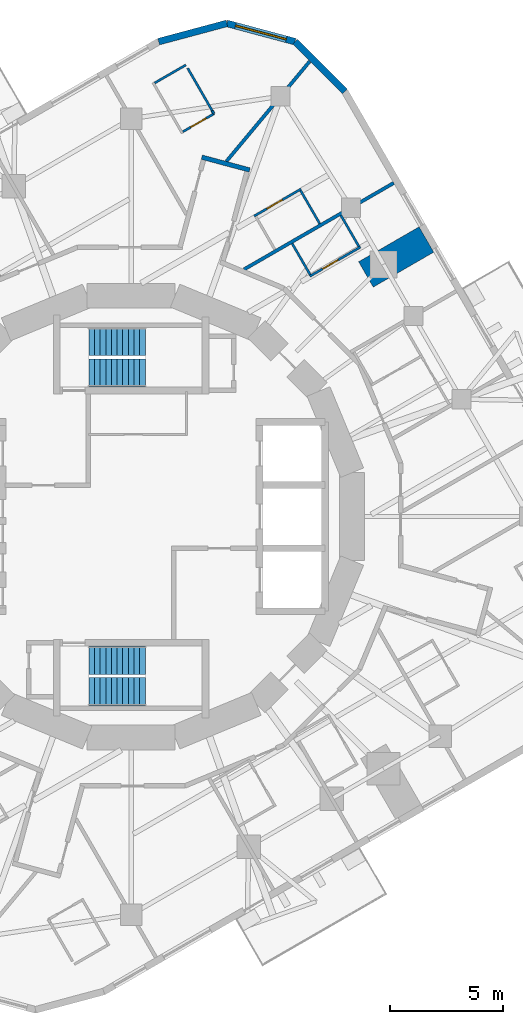
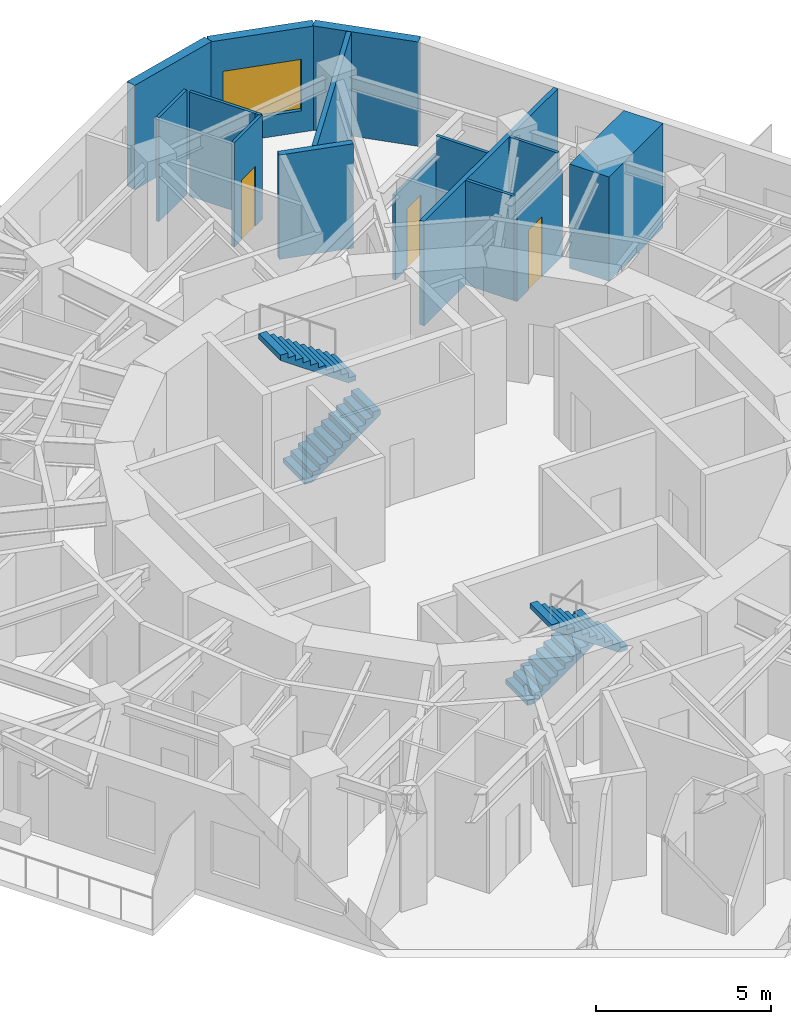
# One storey, part 9 of 11: 16 walls, 4 stair flights, 3 doors, 1 window, 4 openings, 2 elements without a shape of their own.
"""IFC4 building model written with IfcOpenShell, lengths in metres."""

from ifc_helpers import new_model, si_unit, direction, frame, frame_2d, origin, place, context, subcontext, project, spatial, polyline, rectangle, outline, extrude, material, layer, layer_set, type_object, element, fill, aggregate, save


model = new_model("IFC4")

# Units and contexts
model_context = context("Model", 3, precision=1e-05, world=origin(), true_north=direction((0.0, 1.0)))
body_context = subcontext(model_context, "Body", "Model", "MODEL_VIEW")
ifc_project = project(units=[si_unit("LENGTHUNIT", "METRE"), si_unit("AREAUNIT", "SQUARE_METRE"), si_unit("VOLUMEUNIT", "CUBIC_METRE"), si_unit("PLANEANGLEUNIT", "RADIAN"), si_unit("MASSUNIT", "GRAM", prefix="KILO")], contexts=[model_context])

# Site, building, storey
site_placement = place(None, origin())
site = spatial("IfcSite", under=ifc_project, at=site_placement, CompositionType="ELEMENT")
building_placement = place(site_placement, origin())
building = spatial("IfcBuilding", under=site, at=building_placement, Name="Nakasero Lantern House", CompositionType="ELEMENT")
storey_placement = place(building_placement, frame((0.0, 0.0, 246.199951171875)))
storey = spatial("IfcBuildingStorey", under=building, at=storey_placement, Name="L60", CompositionType="ELEMENT", Elevation=246.199951171875)

# Walls
ifc_material_1 = material(Name="Blockwork", Category="masonry")
ifc_layer_1 = layer(ifc_material_1, 1.300048828125)
ifc_layer_set_1 = layer_set([ifc_layer_1], Name="Column pier 1300")
wall_type_1 = type_object("IfcWallType", Name="Column pier 1300", PredefinedType="PARTITIONING", material=ifc_layer_set_1)
wall_1_placement = place(storey_placement, frame((10.4208984375, 10.75048828125, 0.0), z_axis=(0.0, 0.0, 1.0), x_axis=(0.866063626216, 0.499933790963, 0.0)))
element("IfcWall", 1, at=wall_1_placement, inside=storey, type_object=wall_type_1, Name="Column pier L60 PN0-05", PredefinedType="PARTITIONING", context=body_context, shape_type="SweptSolid", body=[
    extrude(rectangle(XDim=3.10009765625, YDim=1.300048828125, at=frame_2d((1.550048828125, 0.0))), origin(), (0.0, 0.0, 1.0), 3.650146484375),
])
ifc_material_2 = material(Name="Blockwork", Category="masonry")
ifc_layer_2 = layer(ifc_material_2, 0.199951171875)
ifc_layer_set_2 = layer_set([ifc_layer_2], Name="Corridor wall 200")
wall_type_2 = type_object("IfcWallType", Name="Corridor wall 200", PredefinedType="PARTITIONING", material=ifc_layer_set_2)
wall_2_placement = place(storey_placement, frame((5.261474609375, 15.38623046875, 0.0), z_axis=(0.0, 0.0, 1.0), x_axis=(-0.965904454439, 0.258898792763, 0.0)))
element("IfcWall", 2, at=wall_2_placement, inside=storey, type_object=wall_type_2, Name="Corridor wall L60 SP0e", PredefinedType="PARTITIONING", context=body_context, shape_type="SweptSolid", body=[
    extrude(rectangle(XDim=2.199951171875, YDim=0.199951171875, at=frame_2d((1.10009765625, 0.0))), origin(), (0.0, 0.0, 1.0), 3.650146484375),
])

# Wall, opening, door
ifc_material_3 = material(Name="Blockwork", Category="masonry")
ifc_layer_3 = layer(ifc_material_3, 0.10009765625)
ifc_layer_set_3 = layer_set([ifc_layer_3], Name="En-suite wall 100")
wall_type_3 = type_object("IfcWallType", Name="En-suite wall 100", PredefinedType="PARTITIONING", material=ifc_layer_set_3)
wall_3_placement = place(storey_placement, frame((7.92822265625, 10.667724609375, 0.0), z_axis=(0.0, 0.0, 1.0), x_axis=(0.866021400173, 0.500006934395, 0.0)))
wall_3 = element("IfcWall", 3, at=wall_3_placement, inside=storey, type_object=wall_type_3, Name="En-suite wall L60 ES0-04", PredefinedType="PARTITIONING", context=body_context, shape_type="SweptSolid", body=[
    extrude(rectangle(XDim=2.60009765625, YDim=0.10009765625, at=frame_2d((1.300048828125, 0.0))), origin(), (0.0, 0.0, 1.0), 3.037841796875),
])
opening_1_placement = place(wall_3_placement, frame((0.64990234375, 0.0, 0.0)))
opening_1 = element("IfcOpeningElement", 4, at=opening_1_placement, cuts=wall_3, Name="Opening D02", PredefinedType="OPENING", context=body_context, shape_type="SweptSolid", body=[
    extrude(rectangle(XDim=0.800048828125, YDim=2.10009765625, at=frame_2d((0.39990234375, 1.050048828125))), frame((0.0, 0.070068359375, 0.0), z_axis=(0.0, -1.0, 0.0), x_axis=(1.0, 0.0, 0.0)), (0.0, 0.0, 1.0), 0.14013671875),
])
ifc_material_4 = material(Name="Timber C24", Category="wood")
door_type = type_object("IfcDoorType", Name="En-suite door 800", OperationType="SINGLE_SWING_RIGHT", PredefinedType="DOOR", material=ifc_material_4)
door_1_placement = place(opening_1_placement, origin())
door_1 = element("IfcDoor", 5, at=door_1_placement, inside=storey, type_object=door_type, Name="Door L60 DE0-04", OperationType="SINGLE_SWING_LEFT", OverallHeight=2.10009765625, OverallWidth=0.800048828125, PredefinedType="DOOR", context=body_context, shape_type="SweptSolid", body=[
    extrude(rectangle(XDim=0.800048828125, YDim=2.10009765625, at=frame_2d((0.39990234375, 1.050048828125))), frame((0.0, 0.02490234375, 0.0), z_axis=(0.0, -1.0, 0.0), x_axis=(1.0, 0.0, 0.0)), (0.0, 0.0, 1.0), 0.050048828125),
])
fill(opening_1, door_1)

# Walls
for number, where, z_axis, x_axis, name in (
    (6, (10.111572265625, 11.986083984375, 0.0), (0.0, 0.0, 1.0), (-0.499947031044, 0.866055983265, 0.0), "En-suite wall L60 EE0-04"),
    (7, (7.946533203125, 10.736083984375, 0.0), (0.0, 0.0, 1.0), (-0.499947031044, 0.866055983265, 0.0), "En-suite wall L60 EI0-04"),
):
    element("IfcWall", number, at=place(storey_placement, frame(where, z_axis=z_axis, x_axis=x_axis)), inside=storey, type_object=wall_type_3, Name=name, PredefinedType="PARTITIONING", context=body_context, shape_type="SweptSolid", body=[
        extrude(rectangle(XDim=1.599853515625, YDim=0.10009765625, at=frame_2d((0.7998046875, 0.0))), origin(), (0.0, 0.0, 1.0), 3.650146484375),
    ])

# Wall, opening, door
wall_4_placement = place(storey_placement, frame((5.46044921875, 13.342041015625, 0.0), z_axis=(0.0, 0.0, 1.0), x_axis=(0.866006032174, 0.500033551112, 0.0)))
wall_4 = element("IfcWall", 8, at=wall_4_placement, inside=storey, type_object=wall_type_3, Name="En-suite wall L60 ES0-06", PredefinedType="PARTITIONING", context=body_context, shape_type="SweptSolid", body=[
    extrude(rectangle(XDim=2.400146484375, YDim=0.10009765625, at=frame_2d((1.2001953125, 0.0))), origin(), (0.0, 0.0, 1.0), 2.966552734375),
])
opening_2_placement = place(wall_4_placement, frame((0.64990234375, 0.0, 0.0)))
opening_2 = element("IfcOpeningElement", 9, at=opening_2_placement, cuts=wall_4, Name="Opening D02", PredefinedType="OPENING", context=body_context, shape_type="SweptSolid", body=[
    extrude(rectangle(XDim=0.800048828125, YDim=2.10009765625, at=frame_2d((0.39990234375, 1.050048828125))), frame((0.0, 0.070068359375, 0.0), z_axis=(0.0, -1.0, 0.0), x_axis=(1.0, 0.0, 0.0)), (0.0, 0.0, 1.0), 0.14013671875),
])
door_2_placement = place(opening_2_placement, origin())
door_2 = element("IfcDoor", 10, at=door_2_placement, inside=storey, type_object=door_type, Name="Door L60 DE0-06", OperationType="SINGLE_SWING_LEFT", OverallHeight=2.10009765625, OverallWidth=0.800048828125, PredefinedType="DOOR", context=body_context, shape_type="SweptSolid", body=[
    extrude(rectangle(XDim=0.800048828125, YDim=2.10009765625, at=frame_2d((0.39990234375, 1.050048828125))), frame((0.0, 0.02490234375, 0.0), z_axis=(0.0, -1.0, 0.0), x_axis=(1.0, 0.0, 0.0)), (0.0, 0.0, 1.0), 0.050048828125),
])
fill(opening_2, door_2)

# Walls
wall_5_placement = place(storey_placement, frame((8.37060546875, 13.001708984375, 0.0), z_axis=(0.0, 0.0, 1.0), x_axis=(-0.499954529098, 0.86605165483, 0.0)))
element("IfcWall", 11, at=wall_5_placement, inside=storey, type_object=wall_type_3, Name="En-suite wall L60 EE0-06", PredefinedType="PARTITIONING", context=body_context, shape_type="SweptSolid", body=[
    extrude(rectangle(XDim=1.699951171875, YDim=0.10009765625, at=frame_2d((0.85009765625, 0.0))), origin(), (0.0, 0.0, 1.0), 3.650146484375),
])
wall_6_placement = place(storey_placement, frame((2.425537109375, 20.048828125, 0.0), z_axis=(0.0, 0.0, 1.0), x_axis=(-0.865989903783, -0.500061482766, 0.0)))
element("IfcWall", 12, at=wall_6_placement, inside=storey, type_object=wall_type_3, Name="En-suite wall L60 EE1-00", PredefinedType="PARTITIONING", context=body_context, shape_type="SweptSolid", body=[
    extrude(rectangle(XDim=1.599853515625, YDim=0.10009765625, at=frame_2d((0.7998046875, 0.0))), origin(), (0.0, 0.0, 1.0), 3.650146484375),
])

# Wall, opening, door
wall_7_placement = place(storey_placement, frame((3.675537109375, 17.8837890625, 0.0), z_axis=(0.0, 0.0, 1.0), x_axis=(-0.865989903783, -0.500061482766, 0.0)))
wall_7 = element("IfcWall", 13, at=wall_7_placement, inside=storey, type_object=wall_type_3, Name="En-suite wall L60 EI1-00", PredefinedType="PARTITIONING", context=body_context, shape_type="SweptSolid", body=[
    extrude(rectangle(XDim=1.599853515625, YDim=0.10009765625, at=frame_2d((0.7998046875, 0.0))), origin(), (0.0, 0.0, 1.0), 3.650146484375),
])
opening_3_placement = place(wall_7_placement, frame((0.39990234375, 0.0, 0.0)))
opening_3 = element("IfcOpeningElement", 14, at=opening_3_placement, cuts=wall_7, Name="Opening D02", PredefinedType="OPENING", context=body_context, shape_type="SweptSolid", body=[
    extrude(rectangle(XDim=0.800048828125, YDim=2.10009765625, at=frame_2d((0.39990234375, 1.050048828125))), frame((0.0, 0.070068359375, 0.0), z_axis=(0.0, -1.0, 0.0), x_axis=(1.0, 0.0, 0.0)), (0.0, 0.0, 1.0), 0.14013671875),
])
door_3_placement = place(opening_3_placement, origin())
door_3 = element("IfcDoor", 15, at=door_3_placement, inside=storey, type_object=door_type, Name="Door L60 DE1-00", OperationType="SINGLE_SWING_LEFT", OverallHeight=2.10009765625, OverallWidth=0.800048828125, PredefinedType="DOOR", context=body_context, shape_type="SweptSolid", body=[
    extrude(rectangle(XDim=0.800048828125, YDim=2.10009765625, at=frame_2d((0.39990234375, 1.050048828125))), frame((0.0, 0.02490234375, 0.0), z_axis=(0.0, -1.0, 0.0), x_axis=(1.0, 0.0, 0.0)), (0.0, 0.0, 1.0), 0.050048828125),
])
fill(opening_3, door_3)

# Walls
wall_8_placement = place(storey_placement, frame((3.595458984375, 18.022216796875, 0.0), z_axis=(0.0, 0.0, 1.0), x_axis=(-0.499945432413, 0.866056906104, 0.0)))
element("IfcWall", 16, at=wall_8_placement, inside=storey, type_object=wall_type_3, Name="En-suite wall L60 EX001", PredefinedType="PARTITIONING", context=body_context, shape_type="SweptSolid", body=[
    extrude(rectangle(XDim=2.179931640625, YDim=0.10009765625, at=frame_2d((1.08984375, 0.0))), origin(), (0.0, 0.0, 1.0), 3.650146484375),
])
wall_9_placement = place(storey_placement, frame((3.675537109375, 17.8837890625, 0.0), z_axis=(0.0, 0.0, 1.0), x_axis=(-0.500735348028, 0.865600433939, 0.0)))
element("IfcWall", 17, at=wall_9_placement, inside=storey, type_object=wall_type_3, Name="En-suite wall L60 EI1-00R0", PredefinedType="PARTITIONING", context=body_context, shape_type="SweptSolid", body=[
    extrude(rectangle(XDim=0.159912109375, YDim=0.10009765625, at=frame_2d((0.080078125, 0.0))), origin(), (0.0, 0.0, 1.0), 3.650146484375),
])
ifc_material_5 = material(Name="Aluminium rainscreen on blockwork", Category="masonry")
ifc_layer_4 = layer(ifc_material_5, 0.300048828125)
ifc_layer_set_4 = layer_set([ifc_layer_4], Name="Facade wall 300")
wall_type_4 = type_object("IfcWallType", Name="Facade wall 300", PredefinedType="SOLIDWALL", material=ifc_layer_set_4)
wall_10_placement = place(storey_placement, frame((9.4853515625, 18.870849609375, 0.0), z_axis=(0.0, 0.0, 1.0), x_axis=(-0.707067801733, 0.707145758492, 0.0)))
element("IfcWall", 18, at=wall_10_placement, inside=storey, type_object=wall_type_4, Name="Facade wall L60 FW0C1", PredefinedType="SOLIDWALL", context=body_context, shape_type="SweptSolid", body=[
    extrude(rectangle(XDim=3.1318359375, YDim=0.300048828125, at=frame_2d((1.56591796875, 0.0))), origin(), (0.0, 0.0, 1.0), 3.650146484375),
])

# Wall, opening, window
wall_11_placement = place(storey_placement, frame((7.27099609375, 21.08544921875, 0.0), z_axis=(0.0, 0.0, 1.0), x_axis=(-0.965928914048, 0.258807521156, 0.0)))
wall_11 = element("IfcWall", 19, at=wall_11_placement, inside=storey, type_object=wall_type_4, Name="Facade wall L60 FW0C2", PredefinedType="SOLIDWALL", context=body_context, shape_type="SweptSolid", body=[
    extrude(rectangle(XDim=3.1318359375, YDim=0.300048828125, at=frame_2d((1.56591796875, 0.0))), origin(), (0.0, 0.0, 1.0), 3.650146484375),
])
opening_4_placement = place(wall_11_placement, frame((0.39990234375, 0.0, 0.75)))
opening_4 = element("IfcOpeningElement", 20, at=opening_4_placement, cuts=wall_11, Name="Opening W223", PredefinedType="OPENING", context=body_context, shape_type="SweptSolid", body=[
    extrude(rectangle(XDim=2.33203125, YDim=1.800048828125, at=frame_2d((1.166015625, 0.89990234375))), frame((0.0, 0.169921875, 0.0), z_axis=(0.0, -1.0, 0.0), x_axis=(1.0, 0.0, 0.0)), (0.0, 0.0, 1.0), 0.340087890625),
])
ifc_material_6 = material(Name="Aluminium 6063-T6 and glass", Category="aluminium")
window_type = type_object("IfcWindowType", Name="Corner window 2332x1800", PartitioningType="SINGLE_PANEL", PredefinedType="WINDOW", material=ifc_material_6)
window_placement = place(opening_4_placement, origin())
window = element("IfcWindow", 21, at=window_placement, inside=storey, type_object=window_type, Name="Window L60 WC0", OverallHeight=1.800048828125, OverallWidth=2.33203125, PartitioningType="SINGLE_PANEL", PredefinedType="WINDOW", context=body_context, shape_type="SweptSolid", body=[
    extrude(rectangle(XDim=2.33203125, YDim=1.800048828125, at=frame_2d((1.166015625, 0.89990234375))), frame((0.0, 0.030029296875, 0.0), z_axis=(0.0, -1.0, 0.0), x_axis=(1.0, 0.0, 0.0)), (0.0, 0.0, 1.0), 0.06005859375),
])
fill(opening_4, window)

# Walls
wall_12_placement = place(storey_placement, frame((4.245849609375, 21.89599609375, 0.0), z_axis=(0.0, 0.0, 1.0), x_axis=(-0.96592369199, -0.258827010283, 0.0)))
element("IfcWall", 22, at=wall_12_placement, inside=storey, type_object=wall_type_4, Name="Facade wall L60 FW0C3", PredefinedType="SOLIDWALL", context=body_context, shape_type="SweptSolid", body=[
    extrude(rectangle(XDim=3.131591796875, YDim=0.300048828125, at=frame_2d((1.56591796875, 0.0))), origin(), (0.0, 0.0, 1.0), 3.650146484375),
])
ifc_material_7 = material(Name="Blockwork", Category="masonry")
ifc_layer_5 = layer(ifc_material_7, 0.14990234375)
ifc_layer_set_5 = layer_set([ifc_layer_5], Name="Party wall 150")
wall_type_5 = type_object("IfcWallType", Name="Party wall 150", PredefinedType="PARTITIONING", material=ifc_layer_set_5)
wall_13_placement = place(storey_placement, frame((5.011474609375, 10.9755859375, 0.0), z_axis=(0.0, 0.0, 1.0), x_axis=(0.866033500054, 0.499985976588, 0.0)))
element("IfcWall", 23, at=wall_13_placement, inside=storey, type_object=wall_type_5, Name="Party wall L60 PW0-06", PredefinedType="PARTITIONING", context=body_context, shape_type="SweptSolid", body=[
    extrude(rectangle(XDim=7.672119140625, YDim=0.14990234375, at=frame_2d((3.8359375, 0.0))), origin(), (0.0, 0.0, 1.0), 3.650146484375),
])
wall_14_placement = place(storey_placement, frame((4.224853515625, 15.767578125, 0.0), z_axis=(0.0, 0.0, 1.0), x_axis=(0.639993357533, 0.768380441131, 0.0)))
element("IfcWall", 24, at=wall_14_placement, inside=storey, type_object=wall_type_5, Name="Party wall L60 PW1-00", PredefinedType="PARTITIONING", context=body_context, shape_type="SweptSolid", body=[
    extrude(rectangle(XDim=5.78271484375, YDim=0.14990234375, at=frame_2d((2.891357421875, 0.0))), origin(), (0.0, 0.0, 1.0), 3.650146484375),
])

# Stair, stair flights
ifc_material_8 = material(Name="Concrete C40/50", Category="concrete")
stair_type_1 = type_object("IfcStairType", Name="Escape stair ST1 22 risers", PredefinedType="HALF_TURN_STAIR", material=ifc_material_8)
stair_1_placement = place(storey_placement, origin())
stair_1 = element("IfcStair", 25, at=stair_1_placement, inside=storey, type_object=stair_type_1, Name="Escape stair ST1 L60", PredefinedType="HALF_TURN_STAIR")
ifc_material_9 = material(Name="Concrete C40/50", Category="concrete")
stair_flight_type = type_object("IfcStairFlightType", Name="Escape stair flight", PredefinedType="STRAIGHT", material=ifc_material_9)
stair_flight_1_placement = place(storey_placement, frame((-1.875, 6.375, 0.0), z_axis=(0.0, 0.0, 1.0), x_axis=(1.0, 0.0, 0.0)))
stair_flight_1 = element("IfcStairFlight", 26, at=stair_flight_1_placement, type_object=stair_flight_type, Name="ST1 flight 1", NumberOfRisers=11, NumberOfTreads=10, PredefinedType="STRAIGHT", RiserHeight=0.175, TreadLength=0.25, context=body_context, shape_type="SweptSolid", body=[
    extrude(outline(polyline([(0.0, 0.0), (0.0, 0.175048828125), (0.25, 0.175048828125), (0.25, 0.35009765625), (0.5, 0.35009765625), (0.5, 0.52490234375), (0.75, 0.52490234375), (0.75, 0.699951171875), (1.0, 0.699951171875), (1.0, 0.875), (1.25, 0.875), (1.25, 1.050048828125), (1.5, 1.050048828125), (1.5, 1.22509765625), (1.75, 1.22509765625), (1.75, 1.39990234375), (2.0, 1.39990234375), (2.0, 1.574951171875), (2.25, 1.574951171875), (2.25, 1.75), (2.5, 1.75), (2.5, 1.925048828125), (2.5, 1.567138671875), (0.261474609375, 0.0), (0.0, 0.0)])), frame((0.0, 0.625, 0.0), z_axis=(0.0, -1.0, 0.0), x_axis=(1.0, 0.0, 0.0)), (0.0, 0.0, 1.0), 1.25),
])
stair_flight_2_placement = place(storey_placement, frame((0.625, 7.77490234375, 1.925048828125), z_axis=(0.0, 0.0, 1.0), x_axis=(-1.0, 0.0, 0.0)))
stair_flight_2 = element("IfcStairFlight", 27, at=stair_flight_2_placement, type_object=stair_flight_type, Name="ST1 flight 2", NumberOfRisers=11, NumberOfTreads=10, PredefinedType="STRAIGHT", RiserHeight=0.175, TreadLength=0.25, context=body_context, shape_type="SweptSolid", body=[
    extrude(outline(polyline([(0.0, 0.0), (0.0, 0.175048828125), (0.25, 0.175048828125), (0.25, 0.35009765625), (0.5, 0.35009765625), (0.5, 0.52490234375), (0.75, 0.52490234375), (0.75, 0.699951171875), (1.0, 0.699951171875), (1.0, 0.875), (1.25, 0.875), (1.25, 1.050048828125), (1.5, 1.050048828125), (1.5, 1.22509765625), (1.75, 1.22509765625), (1.75, 1.39990234375), (2.0, 1.39990234375), (2.0, 1.574951171875), (2.25, 1.574951171875), (2.25, 1.75), (2.5, 1.75), (2.5, 1.925048828125), (2.5, 1.567138671875), (0.261474609375, 0.0), (0.0, 0.0)])), frame((0.0, 0.625, 0.0), z_axis=(0.0, -1.0, 0.0), x_axis=(1.0, 0.0, 0.0)), (0.0, 0.0, 1.0), 1.25),
])
aggregate(stair_1, [stair_flight_1, stair_flight_2])

ifc_material_10 = material(Name="Concrete C40/50", Category="concrete")
stair_type_2 = type_object("IfcStairType", Name="Escape stair ST2 22 risers", PredefinedType="HALF_TURN_STAIR", material=ifc_material_10)
stair_2_placement = place(storey_placement, origin())
stair_2 = element("IfcStair", 28, at=stair_2_placement, inside=storey, type_object=stair_type_2, Name="Escape stair ST2 L60", PredefinedType="HALF_TURN_STAIR")
stair_flight_3_placement = place(storey_placement, frame((-1.875, -6.375, 0.0), z_axis=(0.0, 0.0, 1.0), x_axis=(1.0, 0.0, 0.0)))
stair_flight_3 = element("IfcStairFlight", 29, at=stair_flight_3_placement, type_object=stair_flight_type, Name="ST2 flight 1", NumberOfRisers=11, NumberOfTreads=10, PredefinedType="STRAIGHT", RiserHeight=0.175, TreadLength=0.25, context=body_context, shape_type="SweptSolid", body=[
    extrude(outline(polyline([(0.0, 0.0), (0.0, 0.175048828125), (0.25, 0.175048828125), (0.25, 0.35009765625), (0.5, 0.35009765625), (0.5, 0.52490234375), (0.75, 0.52490234375), (0.75, 0.699951171875), (1.0, 0.699951171875), (1.0, 0.875), (1.25, 0.875), (1.25, 1.050048828125), (1.5, 1.050048828125), (1.5, 1.22509765625), (1.75, 1.22509765625), (1.75, 1.39990234375), (2.0, 1.39990234375), (2.0, 1.574951171875), (2.25, 1.574951171875), (2.25, 1.75), (2.5, 1.75), (2.5, 1.925048828125), (2.5, 1.567138671875), (0.261474609375, 0.0), (0.0, 0.0)])), frame((0.0, 0.625, 0.0), z_axis=(0.0, -1.0, 0.0), x_axis=(1.0, 0.0, 0.0)), (0.0, 0.0, 1.0), 1.25),
])
stair_flight_4_placement = place(storey_placement, frame((0.625, -7.77490234375, 1.925048828125), z_axis=(0.0, 0.0, 1.0), x_axis=(-1.0, 0.0, 0.0)))
stair_flight_4 = element("IfcStairFlight", 30, at=stair_flight_4_placement, type_object=stair_flight_type, Name="ST2 flight 2", NumberOfRisers=11, NumberOfTreads=10, PredefinedType="STRAIGHT", RiserHeight=0.175, TreadLength=0.25, context=body_context, shape_type="SweptSolid", body=[
    extrude(outline(polyline([(0.0, 0.0), (0.0, 0.175048828125), (0.25, 0.175048828125), (0.25, 0.35009765625), (0.5, 0.35009765625), (0.5, 0.52490234375), (0.75, 0.52490234375), (0.75, 0.699951171875), (1.0, 0.699951171875), (1.0, 0.875), (1.25, 0.875), (1.25, 1.050048828125), (1.5, 1.050048828125), (1.5, 1.22509765625), (1.75, 1.22509765625), (1.75, 1.39990234375), (2.0, 1.39990234375), (2.0, 1.574951171875), (2.25, 1.574951171875), (2.25, 1.75), (2.5, 1.75), (2.5, 1.925048828125), (2.5, 1.567138671875), (0.261474609375, 0.0), (0.0, 0.0)])), frame((0.0, 0.625, 0.0), z_axis=(0.0, -1.0, 0.0), x_axis=(1.0, 0.0, 0.0)), (0.0, 0.0, 1.0), 1.25),
])
aggregate(stair_2, [stair_flight_3, stair_flight_4])

save(model, "model.ifc")
